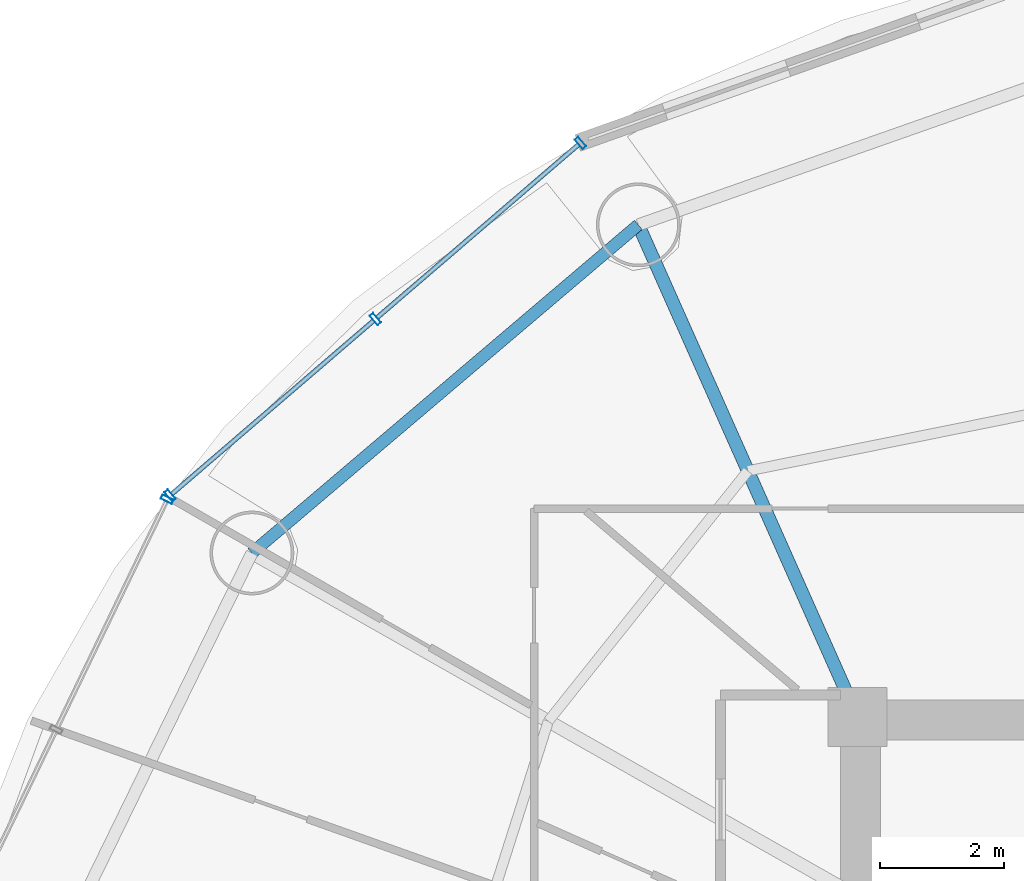
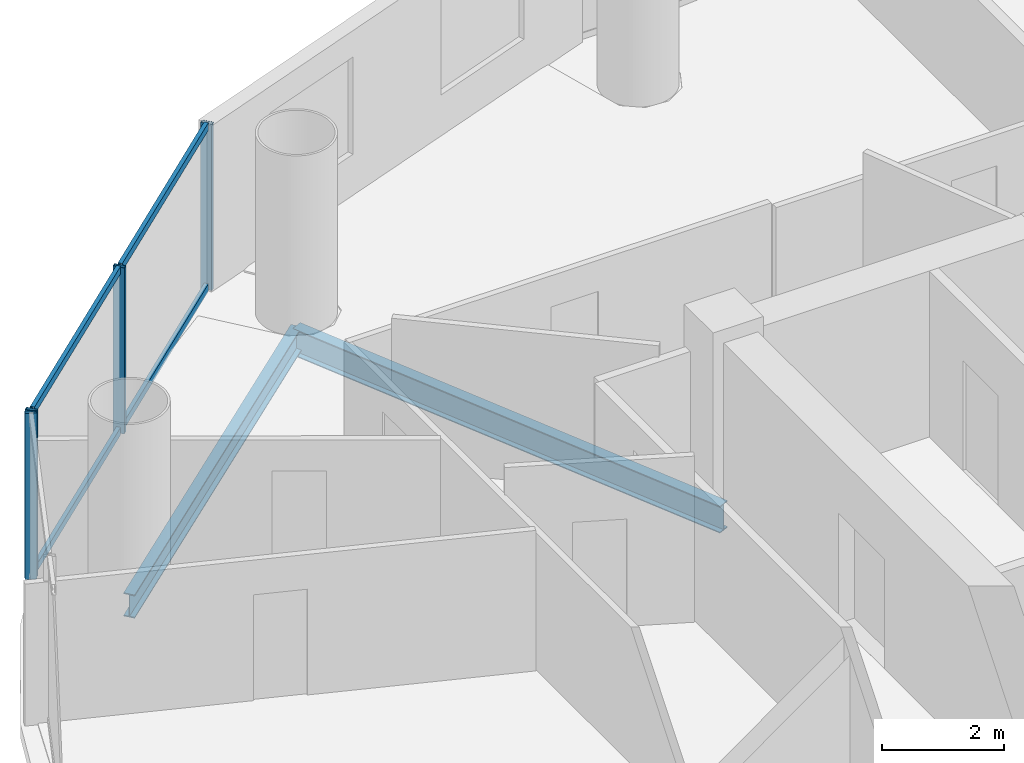
# One storey, part 14 of 26: 8 members, 2 beams, 2 elements without a shape of their own.
"""IFC4 building model written with IfcOpenShell, lengths in metres."""

from ifc_helpers import new_model, si_unit, direction, frame, origin, origin_2d, place, context, subcontext, project, spatial, hollow_rectangle, i_section, extrude, source, transform, mapped, material, material_profile, profile_set, type_object, element, aggregate, save


model = new_model("IFC4")

# Units and contexts
model_context = context("Model", 3, precision=1e-05, world=origin(), true_north=direction((-0.2419218956, 0.970295726276)))
body_context = subcontext(model_context, "Body", "Model", "MODEL_VIEW")
ifc_project = project(units=[si_unit("LENGTHUNIT", "METRE"), si_unit("AREAUNIT", "SQUARE_METRE"), si_unit("VOLUMEUNIT", "CUBIC_METRE"), si_unit("PLANEANGLEUNIT", "RADIAN"), si_unit("MASSUNIT", "GRAM", prefix="KILO")], contexts=[model_context])

# Site, building, storey
site_placement = place(None, origin())
site = spatial("IfcSite", under=ifc_project, at=site_placement, CompositionType="ELEMENT")
building_placement = place(site_placement, origin())
building = spatial("IfcBuilding", under=site, at=building_placement, Name="Cobrevalo Terracotta Tower", CompositionType="ELEMENT")
storey_placement = place(building_placement, frame((0.0, 0.0, 178.60009765625)))
storey = spatial("IfcBuildingStorey", under=building, at=storey_placement, Name="L47", CompositionType="ELEMENT", Elevation=178.60009765625)

# Beams
ifc_material_1 = material(Name="Steel S355", Category="steel")
ifc_material_profile_1 = material_profile(ifc_material_1, i_section(OverallWidth=0.2109375, OverallDepth=0.5390625, WebThickness=0.01171875, FlangeThickness=0.018798828125, at=origin_2d()), Name="W 530x109")
ifc_profile_set_1 = profile_set([ifc_material_profile_1], Name="Steel S355")
beam_type_1 = type_object("IfcBeamType", Name="Structural Beam W 530x109 (Steel S355)", PredefinedType="BEAM", material=ifc_profile_set_1)
beam_1_placement = place(storey_placement, frame((25.471923828125, 42.72265625, -0.53955078125), z_axis=(0.406804395691, -0.913515289224, 0.0), x_axis=(0.913515289224, 0.406804395691, 0.0)))
element("IfcBeam", 1, at=beam_1_placement, inside=storey, type_object=beam_type_1, Name="L47 radial floor girder 06", PredefinedType="BEAM", context=body_context, shape_type="SweptSolid", body=[
    extrude(i_section(OverallWidth=0.2109375, OverallDepth=0.5390625, WebThickness=0.01171875, FlangeThickness=0.018798828125, at=origin_2d()), origin(), (0.0, 0.0, 1.0), 8.672607421875),
])
ifc_material_profile_2 = material_profile(ifc_material_1, i_section(OverallWidth=0.194091796875, OverallDepth=0.468994140625, WebThickness=0.011474609375, FlangeThickness=0.0205078125, at=origin_2d()), Name="W 460x106")
ifc_profile_set_2 = profile_set([ifc_material_profile_2], Name="Steel S355")
beam_type_2 = type_object("IfcBeamType", Name="Structural Spandrel W 460x106 (Steel S355)", PredefinedType="SPANDREL", material=ifc_profile_set_2)
beam_2_placement = place(storey_placement, frame((25.471923828125, 42.72265625, -0.504638671875), z_axis=(-0.762240337798, -0.647294112003, 0.0), x_axis=(0.647294112003, -0.762240337798, 0.0)))
element("IfcBeam", 2, at=beam_2_placement, inside=storey, type_object=beam_type_2, Name="L47 perimeter ring spandrel 06", PredefinedType="SPANDREL", context=body_context, shape_type="SweptSolid", body=[
    extrude(i_section(OverallWidth=0.194091796875, OverallDepth=0.468994140625, WebThickness=0.011474609375, FlangeThickness=0.0205078125, at=origin_2d()), origin(), (0.0, 0.0, 1.0), 8.162353515625),
])

# Curtain wall, members
ifc_material_2 = material(Name="Anodized aluminium", Category="aluminium")
curtain_wall_type = type_object("IfcCurtainWallType", Name="Mid-tower high-wind unitised curtain wall CW-U2", PredefinedType="NOTDEFINED", material=ifc_material_2)
curtain_wall_1_placement = place(storey_placement, origin())
curtain_wall_1 = element("IfcCurtainWall", 3, at=curtain_wall_1_placement, inside=storey, type_object=curtain_wall_type, Name="L47 curtain wall CW-L47-S06", PredefinedType="NOTDEFINED")
ifc_material_profile_3 = material_profile(ifc_material_2, hollow_rectangle(XDim=0.074951171875, YDim=0.14990234375, WallThickness=0.00439453125, at=origin_2d()), Name="CWT 75x150")
ifc_profile_set_3 = profile_set([ifc_material_profile_3], Name="Anodized aluminium")
member_type_1 = type_object("IfcMemberType", Name="Tower unitised aluminium transom 75x150", PredefinedType="USERDEFINED", material=ifc_profile_set_3)
shared_shape_1 = source(origin(), body_context, "Body", "SweptSolid", [
    extrude(hollow_rectangle(XDim=0.074951171875, YDim=0.14990234375, WallThickness=0.00439453125, at=origin_2d()), origin(), (0.0, 0.0, 1.0), 4.276123046875),
])
member_1_placement = place(storey_placement, frame((24.51123046875, 44.017578125, 0.0498046875), z_axis=(-0.758417719247, -0.651768795764, 0.0), x_axis=(0.651768795764, -0.758417719247, 0.0)))
member_1 = element("IfcMember", 4, at=member_1_placement, type_object=member_type_1, Name="CW-L47-S06 transom B01-T1", ObjectType="TRANSOM", PredefinedType="USERDEFINED", context=body_context, shape_type="MappedRepresentation", body=[
    mapped(shared_shape_1, transform((0.0, 0.0, 0.0), scale=1.0)),
])
member_2_placement = place(storey_placement, frame((24.51123046875, 44.017578125, 3.27978515625), z_axis=(-0.758417719247, -0.651768795764, 0.0), x_axis=(0.651768795764, -0.758417719247, 0.0)))
member_2 = element("IfcMember", 5, at=member_2_placement, type_object=member_type_1, Name="CW-L47-S06 transom B01-T2", ObjectType="TRANSOM", PredefinedType="USERDEFINED", context=body_context, shape_type="MappedRepresentation", body=[
    mapped(shared_shape_1, transform((0.0, 0.0, 0.0), scale=1.0)),
])
member_3_placement = place(storey_placement, frame((21.207275390625, 41.17822265625, 0.0498046875), z_axis=(-0.758445941187, -0.65173595443, 0.0), x_axis=(0.65173595443, -0.758445941187, 0.0)))
member_3 = element("IfcMember", 6, at=member_3_placement, type_object=member_type_1, Name="CW-L47-S06 transom B02-T1", ObjectType="TRANSOM", PredefinedType="USERDEFINED", context=body_context, shape_type="MappedRepresentation", body=[
    mapped(shared_shape_1, transform((0.0, 0.0, 0.0), scale=1.0)),
])
member_4_placement = place(storey_placement, frame((21.207275390625, 41.17822265625, 3.27978515625), z_axis=(-0.758445941187, -0.65173595443, 0.0), x_axis=(0.65173595443, -0.758445941187, 0.0)))
member_4 = element("IfcMember", 7, at=member_4_placement, type_object=member_type_1, Name="CW-L47-S06 transom B02-T2", ObjectType="TRANSOM", PredefinedType="USERDEFINED", context=body_context, shape_type="MappedRepresentation", body=[
    mapped(shared_shape_1, transform((0.0, 0.0, 0.0), scale=1.0)),
])
ifc_material_profile_4 = material_profile(ifc_material_2, hollow_rectangle(XDim=0.074951171875, YDim=0.199951171875, WallThickness=0.0048828125, at=origin_2d()), Name="CWM 75x200")
ifc_profile_set_4 = profile_set([ifc_material_profile_4], Name="Anodized aluminium")
member_type_2 = type_object("IfcMemberType", Name="Lower/mid tower unitised mullion 75x200", PredefinedType="MULLION", material=ifc_profile_set_4)
shared_shape_2 = source(origin(), body_context, "Body", "SweptSolid", [
    extrude(hollow_rectangle(XDim=0.074951171875, YDim=0.199951171875, WallThickness=0.0048828125, at=origin_2d()), origin(), (0.0, 0.0, 1.0), 3.329833984375),
])
member_5_placement = place(storey_placement, frame((24.54150390625, 44.04345703125, 0.0), z_axis=(0.0, 0.0, 1.0), x_axis=(-0.758441546142, -0.65174106905, 0.0)))
member_5 = element("IfcMember", 8, at=member_5_placement, type_object=member_type_2, Name="CW-L47-S06 vertical mullion 01", PredefinedType="MULLION", context=body_context, shape_type="MappedRepresentation", body=[
    mapped(shared_shape_2, transform((0.0, 0.0, 0.0), scale=1.0)),
])
member_6_placement = place(storey_placement, frame((21.237548828125, 41.204345703125, 0.0), z_axis=(0.0, 0.0, 1.0), x_axis=(-0.758441546142, -0.65174106905, 0.0)))
member_6 = element("IfcMember", 9, at=member_6_placement, type_object=member_type_2, Name="CW-L47-S06 vertical mullion 02", PredefinedType="MULLION", context=body_context, shape_type="MappedRepresentation", body=[
    mapped(shared_shape_2, transform((0.0, 0.0, 0.0), scale=1.0)),
])
member_7_placement = place(storey_placement, frame((17.933837890625, 38.365234375, 0.0), z_axis=(0.0, 0.0, 1.0), x_axis=(-0.758441546142, -0.65174106905, 0.0)))
member_7 = element("IfcMember", 10, at=member_7_placement, type_object=member_type_2, Name="CW-L47-S06 vertical mullion 03", PredefinedType="MULLION", context=body_context, shape_type="MappedRepresentation", body=[
    mapped(shared_shape_2, transform((0.0, 0.0, 0.0), scale=1.0)),
])
aggregate(curtain_wall_1, [member_5, member_6, member_7, member_1, member_2, member_3, member_4])

# Curtain wall, member
curtain_wall_2_placement = place(storey_placement, origin())
curtain_wall_2 = element("IfcCurtainWall", 11, at=curtain_wall_2_placement, inside=storey, type_object=curtain_wall_type, Name="L47 curtain wall CW-L47-S07", PredefinedType="NOTDEFINED")
member_8_placement = place(storey_placement, frame((17.885986328125, 38.30322265625, 0.0), z_axis=(0.0, 0.0, 1.0), x_axis=(-0.434209440271, -0.900811945957, 0.0)))
member_8 = element("IfcMember", 12, at=member_8_placement, type_object=member_type_2, Name="CW-L47-S07 vertical mullion 01", PredefinedType="MULLION", context=body_context, shape_type="MappedRepresentation", body=[
    mapped(shared_shape_2, transform((0.0, 0.0, 0.0), scale=1.0)),
])
aggregate(curtain_wall_2, [member_8])

save(model, "model.ifc")
